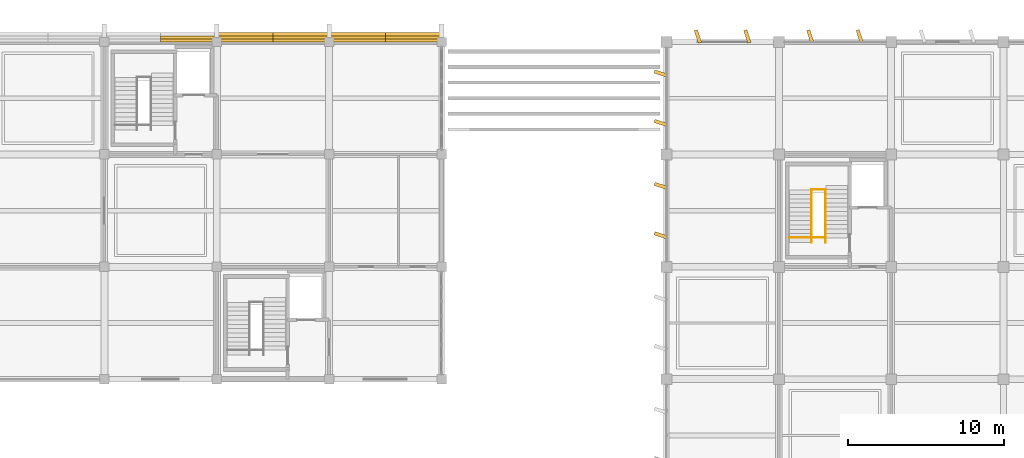
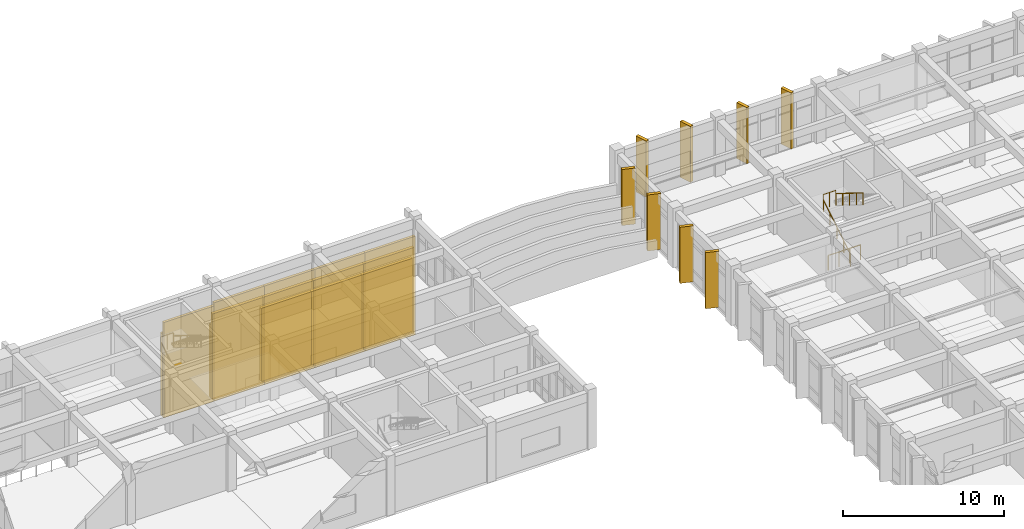
# One storey, part 79 of 81: 22 coverings, 4 railings.
"""IFC4 building model written with IfcOpenShell, lengths in metres."""

from ifc_helpers import new_model, si_unit, direction, frame, origin, origin_2d, place, context, subcontext, project, spatial, polyline, rectangle, circle, outline, extrude, material, layer, layer_set, type_object, element, save


model = new_model("IFC4")

# Units and contexts
model_context = context("Model", 3, precision=1e-05, world=origin(), true_north=direction((0.0, 1.0)))
body_context = subcontext(model_context, "Body", "Model", "MODEL_VIEW")
ifc_project = project(units=[si_unit("LENGTHUNIT", "METRE"), si_unit("AREAUNIT", "SQUARE_METRE"), si_unit("VOLUMEUNIT", "CUBIC_METRE"), si_unit("PLANEANGLEUNIT", "RADIAN"), si_unit("MASSUNIT", "GRAM", prefix="KILO")], contexts=[model_context])

# Site, building, storey
site_placement = place(None, origin())
site = spatial("IfcSite", under=ifc_project, at=site_placement, CompositionType="ELEMENT")
building_placement = place(site_placement, origin())
building = spatial("IfcBuilding", under=site, at=building_placement, Name="Kavelor Marine Aquarium", CompositionType="ELEMENT")
storey_placement = place(building_placement, frame((0.0, 0.0, 4.679931640625)))
storey = spatial("IfcBuildingStorey", under=building, at=storey_placement, Name="L01", CompositionType="ELEMENT", Elevation=4.679931640625)

# Coverings
ifc_material_1 = material(Name="Concrete C45/55", Category="concrete")
ifc_layer_1 = layer(ifc_material_1, 0.360107421875)
ifc_layer_set_1 = layer_set([ifc_layer_1], Name="COV-BND4")
covering_type_1 = type_object("IfcCoveringType", Name="COV-BND4", PredefinedType="CLADDING", material=ifc_layer_set_1)
covering_1_placement = place(storey_placement, frame((0.0, 0.0, -4.679931640625)))
element("IfcCovering", 1, at=covering_1_placement, inside=storey, type_object=covering_type_1, Name="band:north:4:r:04", PredefinedType="CLADDING", context=body_context, shape_type="SweptSolid", body=[
    extrude(outline(polyline([(89.60009765625, 111.18994140625), (93.199951171875, 111.18994140625), (93.199951171875, 111.409912109375), (89.60009765625, 111.409912109375), (89.60009765625, 111.18994140625)])), origin(), (0.0, 0.0, 1.0), 5.530029296875),
])
covering_2_placement = place(storey_placement, frame((0.0, 0.0, -4.679931640625)))
element("IfcCovering", 2, at=covering_2_placement, inside=storey, type_object=covering_type_1, Name="band:north:4:r:05", PredefinedType="CLADDING", context=body_context, shape_type="SweptSolid", body=[
    extrude(outline(polyline([(93.199951171875, 111.18994140625), (96.800048828125, 111.18994140625), (96.800048828125, 111.409912109375), (93.199951171875, 111.409912109375), (93.199951171875, 111.18994140625)])), origin(), (0.0, 0.0, 1.0), 5.530029296875),
])
covering_3_placement = place(storey_placement, frame((0.0, 0.0, -4.679931640625)))
element("IfcCovering", 3, at=covering_3_placement, inside=storey, type_object=covering_type_1, Name="band:north:4:r:06", PredefinedType="CLADDING", context=body_context, shape_type="SweptSolid", body=[
    extrude(outline(polyline([(96.800048828125, 111.18994140625), (100.39990234375, 111.18994140625), (100.39990234375, 111.409912109375), (96.800048828125, 111.409912109375), (96.800048828125, 111.18994140625)])), origin(), (0.0, 0.0, 1.0), 5.530029296875),
])
covering_4_placement = place(storey_placement, frame((0.0, 0.0, -4.679931640625)))
element("IfcCovering", 4, at=covering_4_placement, inside=storey, type_object=covering_type_1, Name="band:north:4:r:07", PredefinedType="CLADDING", context=body_context, shape_type="SweptSolid", body=[
    extrude(outline(polyline([(100.39990234375, 111.18994140625), (104.0, 111.18994140625), (104.0, 111.409912109375), (100.39990234375, 111.409912109375), (100.39990234375, 111.18994140625)])), origin(), (0.0, 0.0, 1.0), 5.530029296875),
])
ifc_material_2 = material(Name="Concrete C45/55", Category="concrete")
ifc_layer_2 = layer(ifc_material_2, 0.3798828125)
ifc_layer_set_2 = layer_set([ifc_layer_2], Name="COV-BND5")
covering_type_2 = type_object("IfcCoveringType", Name="COV-BND5", PredefinedType="CLADDING", material=ifc_layer_set_2)
covering_5_placement = place(storey_placement, frame((0.0, 0.0, -4.679931640625)))
element("IfcCovering", 5, at=covering_5_placement, inside=storey, type_object=covering_type_2, Name="band:north:5:r:03", PredefinedType="CLADDING", context=body_context, shape_type="SweptSolid", body=[
    extrude(outline(polyline([(86.0, 110.97998046875), (89.60009765625, 110.97998046875), (89.60009765625, 111.199951171875), (86.0, 111.199951171875), (86.0, 110.97998046875)])), origin(), (0.0, 0.0, 1.0), 6.251220703125),
])
covering_6_placement = place(storey_placement, frame((0.0, 0.0, -4.679931640625)))
element("IfcCovering", 6, at=covering_6_placement, inside=storey, type_object=covering_type_2, Name="band:north:5:r:04", PredefinedType="CLADDING", context=body_context, shape_type="SweptSolid", body=[
    extrude(outline(polyline([(89.60009765625, 110.97998046875), (93.199951171875, 110.97998046875), (93.199951171875, 111.199951171875), (89.60009765625, 111.199951171875), (89.60009765625, 110.97998046875)])), origin(), (0.0, 0.0, 1.0), 6.489990234375),
])
covering_7_placement = place(storey_placement, frame((0.0, 0.0, -4.679931640625)))
element("IfcCovering", 7, at=covering_7_placement, inside=storey, type_object=covering_type_2, Name="band:north:5:r:05", PredefinedType="CLADDING", context=body_context, shape_type="SweptSolid", body=[
    extrude(outline(polyline([(93.199951171875, 110.97998046875), (96.800048828125, 110.97998046875), (96.800048828125, 111.199951171875), (93.199951171875, 111.199951171875), (93.199951171875, 110.97998046875)])), origin(), (0.0, 0.0, 1.0), 6.489990234375),
])
covering_8_placement = place(storey_placement, frame((0.0, 0.0, -4.679931640625)))
element("IfcCovering", 8, at=covering_8_placement, inside=storey, type_object=covering_type_2, Name="band:north:5:r:06", PredefinedType="CLADDING", context=body_context, shape_type="SweptSolid", body=[
    extrude(outline(polyline([(96.800048828125, 110.97998046875), (100.39990234375, 110.97998046875), (100.39990234375, 111.199951171875), (96.800048828125, 111.199951171875), (96.800048828125, 110.97998046875)])), origin(), (0.0, 0.0, 1.0), 6.489990234375),
])
covering_9_placement = place(storey_placement, frame((0.0, 0.0, -4.679931640625)))
element("IfcCovering", 9, at=covering_9_placement, inside=storey, type_object=covering_type_2, Name="band:north:5:r:07", PredefinedType="CLADDING", context=body_context, shape_type="SweptSolid", body=[
    extrude(outline(polyline([(100.39990234375, 110.97998046875), (104.0, 110.97998046875), (104.0, 111.199951171875), (100.39990234375, 111.199951171875), (100.39990234375, 110.97998046875)])), origin(), (0.0, 0.0, 1.0), 6.489990234375),
])
ifc_material_3 = material(Name="Concrete C45/55", Category="concrete")
ifc_layer_3 = layer(ifc_material_3, 0.39990234375)
ifc_layer_set_3 = layer_set([ifc_layer_3], Name="COV-BND6")
covering_type_3 = type_object("IfcCoveringType", Name="COV-BND6", PredefinedType="CLADDING", material=ifc_layer_set_3)
covering_10_placement = place(storey_placement, frame((0.0, 0.0, -4.679931640625)))
element("IfcCovering", 10, at=covering_10_placement, inside=storey, type_object=covering_type_3, Name="band:north:6:r:03", PredefinedType="CLADDING", context=body_context, shape_type="SweptSolid", body=[
    extrude(outline(polyline([(86.0, 110.800048828125), (89.60009765625, 110.800048828125), (89.60009765625, 110.989990234375), (86.0, 110.989990234375), (86.0, 110.800048828125)])), origin(), (0.0, 0.0, 1.0), 7.211181640625),
])
covering_11_placement = place(storey_placement, frame((0.0, 0.0, -4.679931640625)))
element("IfcCovering", 11, at=covering_11_placement, inside=storey, type_object=covering_type_3, Name="band:north:6:r:04", PredefinedType="CLADDING", context=body_context, shape_type="SweptSolid", body=[
    extrude(outline(polyline([(89.60009765625, 110.800048828125), (93.199951171875, 110.800048828125), (93.199951171875, 110.989990234375), (89.60009765625, 110.989990234375), (89.60009765625, 110.800048828125)])), origin(), (0.0, 0.0, 1.0), 7.449951171875),
])
covering_12_placement = place(storey_placement, frame((0.0, 0.0, -4.679931640625)))
element("IfcCovering", 12, at=covering_12_placement, inside=storey, type_object=covering_type_3, Name="band:north:6:r:05", PredefinedType="CLADDING", context=body_context, shape_type="SweptSolid", body=[
    extrude(outline(polyline([(93.199951171875, 110.800048828125), (96.800048828125, 110.800048828125), (96.800048828125, 110.989990234375), (93.199951171875, 110.989990234375), (93.199951171875, 110.800048828125)])), origin(), (0.0, 0.0, 1.0), 7.449951171875),
])
covering_13_placement = place(storey_placement, frame((0.0, 0.0, -4.679931640625)))
element("IfcCovering", 13, at=covering_13_placement, inside=storey, type_object=covering_type_3, Name="band:north:6:r:06", PredefinedType="CLADDING", context=body_context, shape_type="SweptSolid", body=[
    extrude(outline(polyline([(96.800048828125, 110.800048828125), (100.39990234375, 110.800048828125), (100.39990234375, 110.989990234375), (96.800048828125, 110.989990234375), (96.800048828125, 110.800048828125)])), origin(), (0.0, 0.0, 1.0), 7.449951171875),
])
covering_14_placement = place(storey_placement, frame((0.0, 0.0, -4.679931640625)))
element("IfcCovering", 14, at=covering_14_placement, inside=storey, type_object=covering_type_3, Name="band:north:6:r:07", PredefinedType="CLADDING", context=body_context, shape_type="SweptSolid", body=[
    extrude(outline(polyline([(100.39990234375, 110.800048828125), (104.0, 110.800048828125), (104.0, 110.989990234375), (100.39990234375, 110.989990234375), (100.39990234375, 110.800048828125)])), origin(), (0.0, 0.0, 1.0), 7.449951171875),
])
ifc_material_4 = material(Name="Precast Concrete C45/55 Coastal Brise-Soleil Fin", Category="concrete")
ifc_layer_4 = layer(ifc_material_4, 0.219970703125)
ifc_layer_set_4 = layer_set([ifc_layer_4], Name="COV-CL1")
covering_type_4 = type_object("IfcCoveringType", Name="COV-CL1", PredefinedType="CLADDING", material=ifc_layer_set_4)
for number, where, z_axis, x_axis, name in (
    (15, (118.0400390625, 98.416015625, 0.0), (0.0, 0.0, 1.0), (0.951056516295, -0.309016994375, 0.0), "fin:y:L01:16_13:0"),
    (16, (118.0400390625, 101.583984375, 0.0), (0.0, 0.0, 1.0), (0.951056516295, -0.309016994375, 0.0), "fin:y:L01:16_13:1"),
    (17, (118.0400390625, 105.615966796875, 0.0), (0.0, 0.0, 1.0), (0.951056516295, -0.309016994375, 0.0), "fin:y:L01:16_14:0"),
    (18, (118.0400390625, 108.783935546875, 0.0), (0.0, 0.0, 1.0), (0.951056516295, -0.309016994375, 0.0), "fin:y:L01:16_14:1"),
):
    element("IfcCovering", number, at=place(storey_placement, frame(where, z_axis=z_axis, x_axis=x_axis)), inside=storey, type_object=covering_type_4, Name=name, PredefinedType="CLADDING", context=body_context, shape_type="SweptSolid", body=[
        extrude(rectangle(XDim=0.85009765625, YDim=0.219970703125, at=origin_2d()), origin(), (0.0, 0.0, 1.0), 4.239990234375),
    ])
for number, where, z_axis, x_axis, name in (
    (19, (120.416015625, 111.159912109375, 0.0), (0.0, 0.0, 1.0), (0.951056516295, 0.309016994375, 0.0), "fin:x:L01:16_15:0"),
    (20, (123.583984375, 111.159912109375, 0.0), (0.0, 0.0, 1.0), (0.951056516295, 0.309016994375, 0.0), "fin:x:L01:16_15:1"),
    (21, (127.615966796875, 111.159912109375, 0.0), (0.0, 0.0, 1.0), (0.951056516295, 0.309016994375, 0.0), "fin:x:L01:17_15:0"),
    (22, (130.783935546875, 111.159912109375, 0.0), (0.0, 0.0, 1.0), (0.951056516295, 0.309016994375, 0.0), "fin:x:L01:17_15:1"),
):
    element("IfcCovering", number, at=place(storey_placement, frame(where, z_axis=z_axis, x_axis=x_axis)), inside=storey, type_object=covering_type_4, Name=name, PredefinedType="CLADDING", context=body_context, shape_type="SweptSolid", body=[
        extrude(rectangle(XDim=0.219970703125, YDim=0.85009765625, at=origin_2d()), origin(), (0.0, 0.0, 1.0), 4.239990234375),
    ])

# Railings
ifc_material_5 = material(Name="Brushed Stainless Steel Wall and Flight Handrail", Category="steel")
railing_type_1 = type_object("IfcRailingType", Name="RL-HR1", PredefinedType="HANDRAIL", material=ifc_material_5)
railing_1_placement = place(storey_placement, frame((127.68994140625, 97.9599609375, 0.0)))
element("IfcRailing", 23, at=railing_1_placement, inside=storey, type_object=railing_type_1, Name="Stair Handrail ST10-1", PredefinedType="HANDRAIL", context=body_context, shape_type="SweptSolid", body=[
    extrude(circle(Radius=0.02001953125, at=origin_2d()), frame((0.0, 0.0, 0.8798828125), z_axis=(0.0, 0.850623216509, 0.525775754039), x_axis=(-1.0, 0.0, 0.0)), (0.0, 0.0, 1.0), 3.9501953125),
    extrude(circle(Radius=0.01806640625, at=origin_2d()), origin(), (0.0, 0.0, 1.0), 0.85986328125),
    extrude(circle(Radius=0.01806640625, at=origin_2d()), frame((0.0, 0.840087890625, 0.519287109375)), (0.0, 0.0, 1.0), 0.85986328125),
    extrude(circle(Radius=0.01806640625, at=origin_2d()), frame((0.0, 1.68017578125, 1.03857421875)), (0.0, 0.0, 1.0), 0.85986328125),
    extrude(circle(Radius=0.01806640625, at=origin_2d()), frame((0.0, 2.52001953125, 1.5576171875)), (0.0, 0.0, 1.0), 0.85986328125),
    extrude(circle(Radius=0.01806640625, at=origin_2d()), frame((0.0, 3.360107421875, 2.076904296875)), (0.0, 0.0, 1.0), 0.85986328125),
])
railing_2_placement = place(storey_placement, frame((128.590087890625, 101.320068359375, 2.25)))
element("IfcRailing", 24, at=railing_2_placement, inside=storey, type_object=railing_type_1, Name="Stair Handrail ST10-2", PredefinedType="HANDRAIL", context=body_context, shape_type="SweptSolid", body=[
    extrude(circle(Radius=0.02001953125, at=origin_2d()), frame((0.0, 0.0, 0.8798828125), z_axis=(0.0, -0.850623216509, 0.525775754039), x_axis=(1.0, 0.0, 0.0)), (0.0, 0.0, 1.0), 3.9501953125),
    extrude(circle(Radius=0.01806640625, at=origin_2d()), origin(), (0.0, 0.0, 1.0), 0.85986328125),
    extrude(circle(Radius=0.01806640625, at=origin_2d()), frame((0.0, -0.840087890625, 0.519287109375)), (0.0, 0.0, 1.0), 0.85986328125),
    extrude(circle(Radius=0.01806640625, at=origin_2d()), frame((0.0, -1.68017578125, 1.03857421875)), (0.0, 0.0, 1.0), 0.85986328125),
    extrude(circle(Radius=0.01806640625, at=origin_2d()), frame((0.0, -2.52001953125, 1.5576171875)), (0.0, 0.0, 1.0), 0.85986328125),
    extrude(circle(Radius=0.01806640625, at=origin_2d()), frame((0.0, -3.360107421875, 2.076904296875)), (0.0, 0.0, 1.0), 0.85986328125),
])
ifc_material_6 = material(Name="Brushed Stainless Steel Stair Guardrail", Category="steel")
railing_type_2 = type_object("IfcRailingType", Name="RL-SG1", PredefinedType="GUARDRAIL", material=ifc_material_6)
railing_3_placement = place(storey_placement, frame((127.68994140625, 101.35009765625, 2.25)))
element("IfcRailing", 25, at=railing_3_placement, inside=storey, type_object=railing_type_2, Name="Landing Guardrail ST10-M", PredefinedType="GUARDRAIL", context=body_context, shape_type="SweptSolid", body=[
    extrude(circle(Radius=0.0224609375, at=origin_2d()), frame((0.0, 0.0, 1.09765625), z_axis=(1.0, 0.0, 0.0), x_axis=(0.0, 1.0, 0.0)), (0.0, 0.0, 1.0), 0.900146484375),
    extrude(circle(Radius=0.02099609375, at=origin_2d()), origin(), (0.0, 0.0, 1.0), 1.0751953125),
    extrude(circle(Radius=0.02099609375, at=origin_2d()), frame((0.4501953125, 0.0, 0.0)), (0.0, 0.0, 1.0), 1.0751953125),
    extrude(circle(Radius=0.02099609375, at=origin_2d()), frame((0.900146484375, 0.0, 0.0)), (0.0, 0.0, 1.0), 1.0751953125),
])
railing_4_placement = place(storey_placement, frame((126.280029296875, 98.280029296875, 0.0)))
element("IfcRailing", 26, at=railing_4_placement, inside=storey, type_object=railing_type_2, Name="Stairwell Guardrail ST10-W", PredefinedType="GUARDRAIL", context=body_context, shape_type="SweptSolid", body=[
    extrude(circle(Radius=0.0224609375, at=origin_2d()), frame((0.0, 0.0, 1.09765625), z_axis=(1.0, 0.0, 0.0), x_axis=(0.0, 1.0, 0.0)), (0.0, 0.0, 1.0), 2.300048828125),
    extrude(circle(Radius=0.02099609375, at=origin_2d()), origin(), (0.0, 0.0, 1.0), 1.0751953125),
    extrude(circle(Radius=0.02099609375, at=origin_2d()), frame((0.7666015625, 0.0, 0.0)), (0.0, 0.0, 1.0), 1.0751953125),
    extrude(circle(Radius=0.02099609375, at=origin_2d()), frame((1.533447265625, 0.0, 0.0)), (0.0, 0.0, 1.0), 1.0751953125),
    extrude(circle(Radius=0.02099609375, at=origin_2d()), frame((2.300048828125, 0.0, 0.0)), (0.0, 0.0, 1.0), 1.0751953125),
])

save(model, "model.ifc")
